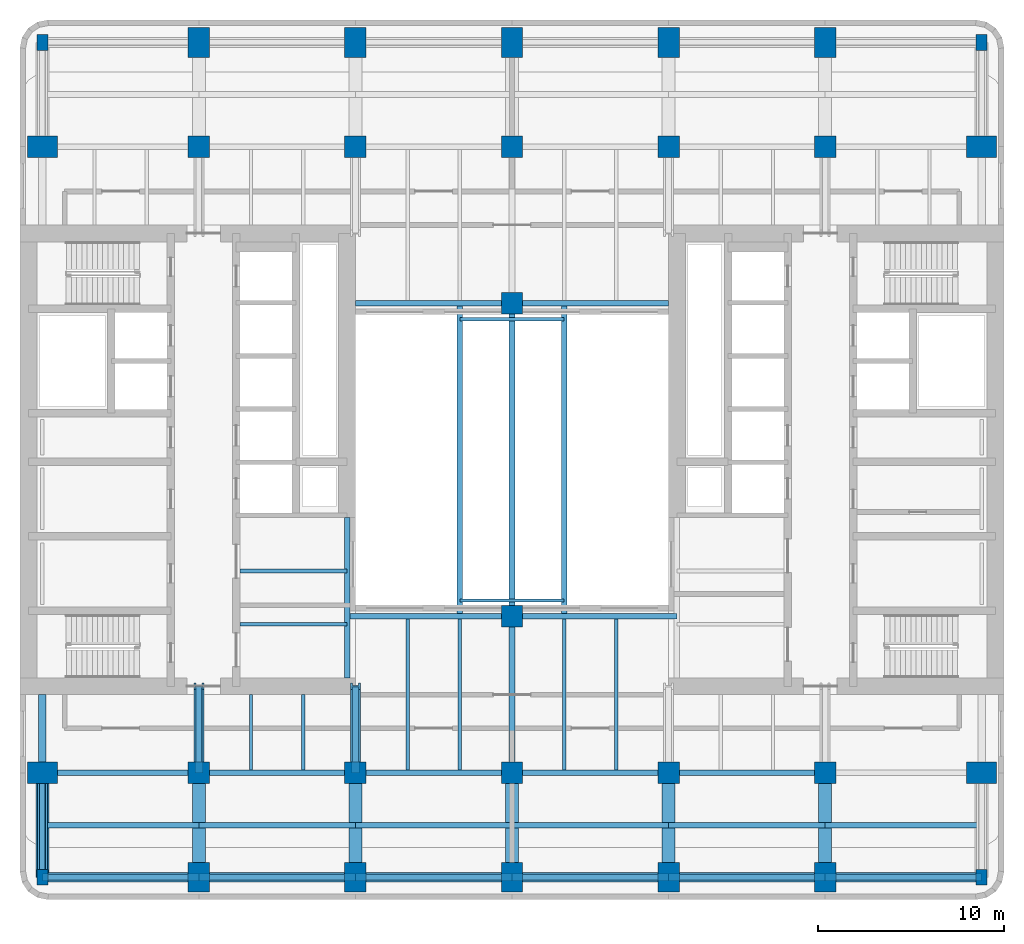
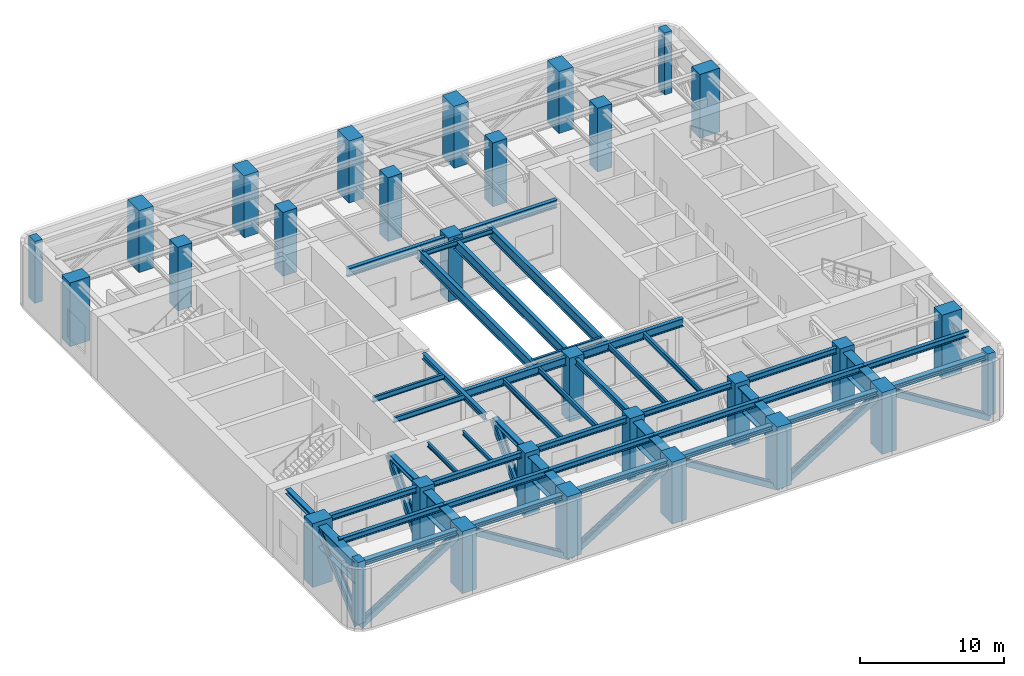
# One storey, part 1 of 10: 45 beams, 30 columns, 9 members.
"""IFC4 building model written with IfcOpenShell, lengths in metres."""

from ifc_helpers import new_model, si_unit, direction, frame, origin, origin_2d, place, context, subcontext, project, spatial, rectangle, i_section, extrude, material, material_profile, profile_set, type_object, element, save


model = new_model("IFC4")

# Units and contexts
model_context = context("Model", 3, precision=1e-05, world=origin(), true_north=direction((0.0, 1.0)))
body_context = subcontext(model_context, "Body", "Model", "MODEL_VIEW")
ifc_project = project(units=[si_unit("LENGTHUNIT", "METRE"), si_unit("AREAUNIT", "SQUARE_METRE"), si_unit("VOLUMEUNIT", "CUBIC_METRE"), si_unit("PLANEANGLEUNIT", "RADIAN"), si_unit("MASSUNIT", "GRAM", prefix="KILO")], contexts=[model_context])

# Site, building, storey
site_placement = place(None, origin())
site = spatial("IfcSite", under=ifc_project, at=site_placement, CompositionType="ELEMENT")
building_placement = place(site_placement, origin())
building = spatial("IfcBuilding", under=site, at=building_placement, Name="Claustro Exchange Tower", CompositionType="ELEMENT")
storey_placement = place(building_placement, frame((0.0, 0.0, 168.0)))
storey = spatial("IfcBuildingStorey", under=building, at=storey_placement, Name="L38", CompositionType="ELEMENT", Elevation=168.0)

# Columns
ifc_material_1 = material(Name="Concrete HA-70 (C70/85)", Category="concrete")
ifc_material_profile_1 = material_profile(ifc_material_1, rectangle(XDim=1.14990234375, YDim=1.14990234375, at=origin_2d()), Name="RC 1150x1150")
ifc_profile_set_1 = profile_set([ifc_material_profile_1], Name="Concrete HA-70 (C70/85)")
column_type_1 = type_object("IfcColumnType", Name="C16 RC 1150x1150 HA-70 column", PredefinedType="COLUMN", material=ifc_profile_set_1)
for number, where, z_axis, x_axis, name in (
    (1, (8.39990234375, 8.39990234375, 0.0), (0.0, 0.0, 1.0), (1.0, 0.0, 0.0), "Column C16 2/B L38"),
    (2, (8.39990234375, 42.0, 0.0), (0.0, 0.0, 1.0), (1.0, 0.0, 0.0), "Column C16 2/F L38"),
    (3, (16.800048828125, 8.39990234375, 0.0), (0.0, 0.0, 1.0), (1.0, 0.0, 0.0), "Column C16 3/B L38"),
    (4, (16.800048828125, 42.0, 0.0), (0.0, 0.0, 1.0), (1.0, 0.0, 0.0), "Column C16 3/F L38"),
    (5, (25.199951171875, 8.39990234375, 0.0), (0.0, 0.0, 1.0), (1.0, 0.0, 0.0), "Column C16 4/B L38"),
    (6, (25.199951171875, 42.0, 0.0), (0.0, 0.0, 1.0), (1.0, 0.0, 0.0), "Column C16 4/F L38"),
    (7, (25.199951171875, 16.800048828125, 0.0), (0.0, 0.0, 1.0), (1.0, 0.0, 0.0), "Column C16 4/C L38"),
    (8, (25.199951171875, 33.60009765625, 0.0), (0.0, 0.0, 1.0), (1.0, 0.0, 0.0), "Column C16 4/E L38"),
    (9, (33.60009765625, 8.39990234375, 0.0), (0.0, 0.0, 1.0), (1.0, 0.0, 0.0), "Column C16 5/B L38"),
    (10, (33.60009765625, 42.0, 0.0), (0.0, 0.0, 1.0), (1.0, 0.0, 0.0), "Column C16 5/F L38"),
    (11, (42.0, 8.39990234375, 0.0), (0.0, 0.0, 1.0), (1.0, 0.0, 0.0), "Column C16 6/B L38"),
    (12, (42.0, 42.0, 0.0), (0.0, 0.0, 1.0), (1.0, 0.0, 0.0), "Column C16 6/F L38"),
):
    element("IfcColumn", number, at=place(storey_placement, frame(where, z_axis=z_axis, x_axis=x_axis)), inside=storey, type_object=column_type_1, Name=name, PredefinedType="COLUMN", context=body_context, shape_type="SweptSolid", body=[
        extrude(rectangle(XDim=1.14990234375, YDim=1.14990234375, at=origin_2d()), origin(), (0.0, 0.0, 1.0), 5.39990234375),
    ])
ifc_material_2 = material(Name="Concrete HA-70 (C70/85)", Category="concrete")
ifc_material_profile_2 = material_profile(ifc_material_2, rectangle(XDim=1.14990234375, YDim=1.60009765625, at=origin_2d()), Name="RC 1150x1600")
ifc_profile_set_2 = profile_set([ifc_material_profile_2], Name="Concrete HA-70 (C70/85)")
column_type_2 = type_object("IfcColumnType", Name="C20 RC 1150x1600 HA-70 perimeter column", PredefinedType="COLUMN", material=ifc_profile_set_2)
for number, where, z_axis, x_axis, name in (
    (13, (0.0, 8.39990234375, 0.0), (0.0, 0.0, 1.0), (0.0, 1.0, 0.0), "Column C20 1/B L38"),
    (14, (0.0, 42.0, 0.0), (0.0, 0.0, 1.0), (0.0, 1.0, 0.0), "Column C20 1/F L38"),
):
    element("IfcColumn", number, at=place(storey_placement, frame(where, z_axis=z_axis, x_axis=x_axis)), inside=storey, type_object=column_type_2, Name=name, PredefinedType="COLUMN", context=body_context, shape_type="SweptSolid", body=[
        extrude(rectangle(XDim=1.14990234375, YDim=1.60009765625, at=origin_2d()), origin(), (0.0, 0.0, 1.0), 5.39990234375),
    ])
for number, where, z_axis, x_axis, name in (
    (15, (8.39990234375, 2.800048828125, 0.0), (0.0, 0.0, 1.0), (1.0, 0.0, 0.0), "Column C20 2/A+2800 L38"),
    (16, (8.39990234375, 47.60009765625, 0.0), (0.0, 0.0, 1.0), (1.0, 0.0, 0.0), "Column C20 2/F+5600 L38"),
    (17, (16.800048828125, 2.800048828125, 0.0), (0.0, 0.0, 1.0), (1.0, 0.0, 0.0), "Column C20 3/A+2800 L38"),
    (18, (16.800048828125, 47.60009765625, 0.0), (0.0, 0.0, 1.0), (1.0, 0.0, 0.0), "Column C20 3/F+5600 L38"),
    (19, (25.199951171875, 2.800048828125, 0.0), (0.0, 0.0, 1.0), (1.0, 0.0, 0.0), "Column C20 4/A+2800 L38"),
    (20, (25.199951171875, 47.60009765625, 0.0), (0.0, 0.0, 1.0), (1.0, 0.0, 0.0), "Column C20 4/F+5600 L38"),
    (21, (33.60009765625, 2.800048828125, 0.0), (0.0, 0.0, 1.0), (1.0, 0.0, 0.0), "Column C20 5/A+2800 L38"),
    (22, (33.60009765625, 47.60009765625, 0.0), (0.0, 0.0, 1.0), (1.0, 0.0, 0.0), "Column C20 5/F+5600 L38"),
    (23, (42.0, 2.800048828125, 0.0), (0.0, 0.0, 1.0), (1.0, 0.0, 0.0), "Column C20 6/A+2800 L38"),
    (24, (42.0, 47.60009765625, 0.0), (0.0, 0.0, 1.0), (1.0, 0.0, 0.0), "Column C20 6/F+5600 L38"),
):
    element("IfcColumn", number, at=place(storey_placement, frame(where, z_axis=z_axis, x_axis=x_axis)), inside=storey, type_object=column_type_2, Name=name, PredefinedType="COLUMN", context=body_context, shape_type="SweptSolid", body=[
        extrude(rectangle(XDim=1.14990234375, YDim=1.60009765625, at=origin_2d()), origin(), (0.0, 0.0, 1.0), 5.239990234375),
    ])
for number, where, z_axis, x_axis, name in (
    (25, (50.39990234375, 8.39990234375, 0.0), (0.0, 0.0, 1.0), (0.0, 1.0, 0.0), "Column C20 7/B L38"),
    (26, (50.39990234375, 42.0, 0.0), (0.0, 0.0, 1.0), (0.0, 1.0, 0.0), "Column C20 7/F L38"),
):
    element("IfcColumn", number, at=place(storey_placement, frame(where, z_axis=z_axis, x_axis=x_axis)), inside=storey, type_object=column_type_2, Name=name, PredefinedType="COLUMN", context=body_context, shape_type="SweptSolid", body=[
        extrude(rectangle(XDim=1.14990234375, YDim=1.60009765625, at=origin_2d()), origin(), (0.0, 0.0, 1.0), 5.39990234375),
    ])
ifc_material_3 = material(Name="Concrete HA-50 (C50/60)", Category="concrete")
ifc_material_profile_3 = material_profile(ifc_material_3, rectangle(XDim=0.60009765625, YDim=0.85009765625, at=origin_2d()), Name="RC 600x850")
ifc_profile_set_3 = profile_set([ifc_material_profile_3], Name="Concrete HA-50 (C50/60)")
column_type_3 = type_object("IfcColumnType", Name="C25 RC 600x850 HA-50 corner column", PredefinedType="COLUMN", material=ifc_profile_set_3)
for number, where, z_axis, x_axis, name in (
    (27, (0.0, 2.800048828125, 0.0), (0.0, 0.0, 1.0), (1.0, 0.0, 0.0), "Column C25 1/A+2800 L38"),
    (28, (0.0, 47.60009765625, 0.0), (0.0, 0.0, 1.0), (1.0, 0.0, 0.0), "Column C25 1/F+5600 L38"),
    (29, (50.39990234375, 2.800048828125, 0.0), (0.0, 0.0, 1.0), (1.0, 0.0, 0.0), "Column C25 7/A+2800 L38"),
    (30, (50.39990234375, 47.60009765625, 0.0), (0.0, 0.0, 1.0), (1.0, 0.0, 0.0), "Column C25 7/F+5600 L38"),
):
    element("IfcColumn", number, at=place(storey_placement, frame(where, z_axis=z_axis, x_axis=x_axis)), inside=storey, type_object=column_type_3, Name=name, PredefinedType="COLUMN", context=body_context, shape_type="SweptSolid", body=[
        extrude(rectangle(XDim=0.60009765625, YDim=0.85009765625, at=origin_2d()), origin(), (0.0, 0.0, 1.0), 5.239990234375),
    ])

# Beams
ifc_material_4 = material(Name="Steel S355", Category="steel")
ifc_material_profile_4 = material_profile(ifc_material_4, i_section(OverallWidth=0.300048828125, OverallDepth=0.68994140625, WebThickness=0.014404296875, FlangeThickness=0.027099609375, FilletRadius=0.027099609375, at=origin_2d()), Name="HE 700 A")
ifc_profile_set_4 = profile_set([ifc_material_profile_4], Name="Steel S355")
beam_type_1 = type_object("IfcBeamType", Name="B13 HE 700 A light well edge girder", PredefinedType="BEAM", material=ifc_profile_set_4)
beam_1_placement = place(storey_placement, frame((16.35009765625, 16.800048828125, 4.905029296875), z_axis=(1.0, 0.0, 0.0), x_axis=(0.0, 1.0, 0.0)))
element("IfcBeam", 31, at=beam_1_placement, inside=storey, type_object=beam_type_1, Name="Beam B13 L39", PredefinedType="BEAM", context=body_context, shape_type="SweptSolid", body=[
    extrude(i_section(OverallWidth=0.300048828125, OverallDepth=0.68994140625, WebThickness=0.014404296875, FlangeThickness=0.027099609375, FilletRadius=0.027099609375, at=origin_2d()), origin(), (0.0, 0.0, 1.0), 8.849853515625),
])
beam_2_placement = place(storey_placement, frame((25.199951171875, 16.800048828125, 4.905029296875), z_axis=(1.0, 0.0, 0.0), x_axis=(0.0, 1.0, 0.0)))
element("IfcBeam", 32, at=beam_2_placement, inside=storey, type_object=beam_type_1, Name="Beam B13 L39", PredefinedType="BEAM", context=body_context, shape_type="SweptSolid", body=[
    extrude(i_section(OverallWidth=0.300048828125, OverallDepth=0.68994140625, WebThickness=0.014404296875, FlangeThickness=0.027099609375, FilletRadius=0.027099609375, at=origin_2d()), origin(), (0.0, 0.0, 1.0), 8.85009765625),
])
beam_3_placement = place(storey_placement, frame((16.800048828125, 33.60009765625, 4.905029296875), z_axis=(1.0, 0.0, 0.0), x_axis=(0.0, 1.0, 0.0)))
element("IfcBeam", 33, at=beam_3_placement, inside=storey, type_object=beam_type_1, Name="Beam B13 L39", PredefinedType="BEAM", context=body_context, shape_type="SweptSolid", body=[
    extrude(i_section(OverallWidth=0.300048828125, OverallDepth=0.68994140625, WebThickness=0.014404296875, FlangeThickness=0.027099609375, FilletRadius=0.027099609375, at=origin_2d()), origin(), (0.0, 0.0, 1.0), 8.39990234375),
])
beam_4_placement = place(storey_placement, frame((25.199951171875, 33.60009765625, 4.905029296875), z_axis=(1.0, 0.0, 0.0), x_axis=(0.0, 1.0, 0.0)))
element("IfcBeam", 34, at=beam_4_placement, inside=storey, type_object=beam_type_1, Name="Beam B13 L39", PredefinedType="BEAM", context=body_context, shape_type="SweptSolid", body=[
    extrude(i_section(OverallWidth=0.300048828125, OverallDepth=0.68994140625, WebThickness=0.014404296875, FlangeThickness=0.027099609375, FilletRadius=0.027099609375, at=origin_2d()), origin(), (0.0, 0.0, 1.0), 8.400146484375),
])
ifc_material_5 = material(Name="Steel S355", Category="steel")
ifc_material_profile_5 = material_profile(ifc_material_5, i_section(OverallWidth=0.300048828125, OverallDepth=0.89990234375, WebThickness=0.0185546875, FlangeThickness=0.034912109375, FilletRadius=0.030029296875, at=origin_2d()), Name="HE 900 B")
ifc_profile_set_5 = profile_set([ifc_material_profile_5], Name="Steel S355")
beam_type_2 = type_object("IfcBeamType", Name="B14 HE 900 B bridge girder", PredefinedType="BEAM", material=ifc_profile_set_5)
for number, where, z_axis, x_axis, name in (
    (35, (22.39990234375, 16.949951171875, 4.77001953125), (0.0, 1.0, 0.0), (-1.0, 0.0, 0.0), "Sky bridge girder B14 L39"),
    (36, (25.199951171875, 16.949951171875, 4.77001953125), (0.0, 1.0, 0.0), (-1.0, 0.0, 0.0), "Sky bridge girder B14 L39"),
    (37, (28.0, 16.949951171875, 4.77001953125), (0.0, 1.0, 0.0), (-1.0, 0.0, 0.0), "Sky bridge girder B14 L39"),
):
    element("IfcBeam", number, at=place(storey_placement, frame(where, z_axis=z_axis, x_axis=x_axis)), inside=storey, type_object=beam_type_2, Name=name, PredefinedType="BEAM", context=body_context, shape_type="SweptSolid", body=[
        extrude(i_section(OverallWidth=0.300048828125, OverallDepth=0.89990234375, WebThickness=0.0185546875, FlangeThickness=0.034912109375, FilletRadius=0.030029296875, at=origin_2d()), origin(), (0.0, 0.0, 1.0), 16.5),
    ])
ifc_material_6 = material(Name="Steel S355", Category="steel")
ifc_material_profile_6 = material_profile(ifc_material_6, i_section(OverallWidth=0.169921875, OverallDepth=0.360107421875, WebThickness=0.008056640625, FlangeThickness=0.0126953125, FilletRadius=0.01806640625, at=origin_2d()), Name="IPE 360")
ifc_profile_set_6 = profile_set([ifc_material_profile_6], Name="Steel S355")
beam_type_3 = type_object("IfcBeamType", Name="B16 IPE 360 short-span beam", PredefinedType="BEAM", material=ifc_profile_set_6)
for number, where, z_axis, x_axis, name in (
    (38, (11.199951171875, 8.550048828125, 5.070068359375), (0.0, 1.0, 0.0), (-1.0, 0.0, 0.0), "Beam B16 L39"),
    (39, (14.0, 8.550048828125, 5.070068359375), (0.0, 1.0, 0.0), (-1.0, 0.0, 0.0), "Beam B16 L39"),
):
    element("IfcBeam", number, at=place(storey_placement, frame(where, z_axis=z_axis, x_axis=x_axis)), inside=storey, type_object=beam_type_3, Name=name, PredefinedType="BEAM", context=body_context, shape_type="SweptSolid", body=[
        extrude(i_section(OverallWidth=0.169921875, OverallDepth=0.360107421875, WebThickness=0.008056640625, FlangeThickness=0.0126953125, FilletRadius=0.01806640625, at=origin_2d()), origin(), (0.0, 0.0, 1.0), 4.06005859375),
    ])
ifc_material_7 = material(Name="Steel S355", Category="steel")
ifc_material_profile_7 = material_profile(ifc_material_7, i_section(OverallWidth=0.179931640625, OverallDepth=0.39990234375, WebThickness=0.008544921875, FlangeThickness=0.013427734375, FilletRadius=0.02099609375, at=origin_2d()), Name="IPE 400")
ifc_profile_set_7 = profile_set([ifc_material_profile_7], Name="Steel S355")
beam_type_4 = type_object("IfcBeamType", Name="B21 IPE 400 sky bridge end trimmer", PredefinedType="BEAM", material=ifc_profile_set_7)
for number, where, z_axis, x_axis, name in (
    (40, (22.39990234375, 17.64990234375, 5.02001953125), (1.0, 0.0, 0.0), (0.0, 1.0, 0.0), "Sky bridge end trimmer B21 L39"),
    (41, (22.39990234375, 32.75, 5.02001953125), (1.0, 0.0, 0.0), (0.0, 1.0, 0.0), "Sky bridge end trimmer B21 L39"),
):
    element("IfcBeam", number, at=place(storey_placement, frame(where, z_axis=z_axis, x_axis=x_axis)), inside=storey, type_object=beam_type_4, Name=name, PredefinedType="BEAM", context=body_context, shape_type="SweptSolid", body=[
        extrude(i_section(OverallWidth=0.179931640625, OverallDepth=0.39990234375, WebThickness=0.008544921875, FlangeThickness=0.013427734375, FilletRadius=0.02099609375, at=origin_2d()), origin(), (0.0, 0.0, 1.0), 5.60009765625),
    ])
ifc_material_8 = material(Name="Steel S355", Category="steel")
ifc_material_profile_8 = material_profile(ifc_material_8, i_section(OverallWidth=0.300048828125, OverallDepth=0.5, WebThickness=0.014404296875, FlangeThickness=0.028076171875, FilletRadius=0.027099609375, at=origin_2d()), Name="HE 500 B")
ifc_profile_set_8 = profile_set([ifc_material_profile_8], Name="Steel S355")
beam_type_5 = type_object("IfcBeamType", Name="B7 HE 500 B floor girder", PredefinedType="BEAM", material=ifc_profile_set_8)
beam_5_placement = place(storey_placement, frame((25.199951171875, 8.39990234375, 5.0), z_axis=(0.0, 1.0, 0.0), x_axis=(-1.0, 0.0, 0.0)))
element("IfcBeam", 42, at=beam_5_placement, inside=storey, type_object=beam_type_5, Name="Beam B7 L39", PredefinedType="BEAM", context=body_context, shape_type="SweptSolid", body=[
    extrude(i_section(OverallWidth=0.300048828125, OverallDepth=0.5, WebThickness=0.014404296875, FlangeThickness=0.028076171875, FilletRadius=0.027099609375, at=origin_2d()), origin(), (0.0, 0.0, 1.0), 8.400146484375),
])
beam_6_placement = place(storey_placement, frame((0.0, 8.39990234375, 5.0), z_axis=(1.0, 0.0, 0.0), x_axis=(0.0, 1.0, 0.0)))
element("IfcBeam", 43, at=beam_6_placement, inside=storey, type_object=beam_type_5, Name="Beam B7 L39", PredefinedType="BEAM", context=body_context, shape_type="SweptSolid", body=[
    extrude(i_section(OverallWidth=0.300048828125, OverallDepth=0.5, WebThickness=0.014404296875, FlangeThickness=0.028076171875, FilletRadius=0.027099609375, at=origin_2d()), origin(), (0.0, 0.0, 1.0), 8.39990234375),
])
beam_7_placement = place(storey_placement, frame((8.39990234375, 8.39990234375, 5.0), z_axis=(1.0, 0.0, 0.0), x_axis=(0.0, 1.0, 0.0)))
element("IfcBeam", 44, at=beam_7_placement, inside=storey, type_object=beam_type_5, Name="Beam B7 L39", PredefinedType="BEAM", context=body_context, shape_type="SweptSolid", body=[
    extrude(i_section(OverallWidth=0.300048828125, OverallDepth=0.5, WebThickness=0.014404296875, FlangeThickness=0.028076171875, FilletRadius=0.027099609375, at=origin_2d()), origin(), (0.0, 0.0, 1.0), 8.400146484375),
])
beam_8_placement = place(storey_placement, frame((16.800048828125, 8.39990234375, 5.0), z_axis=(1.0, 0.0, 0.0), x_axis=(0.0, 1.0, 0.0)))
element("IfcBeam", 45, at=beam_8_placement, inside=storey, type_object=beam_type_5, Name="Beam B7 L39", PredefinedType="BEAM", context=body_context, shape_type="SweptSolid", body=[
    extrude(i_section(OverallWidth=0.300048828125, OverallDepth=0.5, WebThickness=0.014404296875, FlangeThickness=0.028076171875, FilletRadius=0.027099609375, at=origin_2d()), origin(), (0.0, 0.0, 1.0), 8.39990234375),
])
beam_9_placement = place(storey_placement, frame((25.199951171875, 8.39990234375, 5.0), z_axis=(1.0, 0.0, 0.0), x_axis=(0.0, 1.0, 0.0)))
element("IfcBeam", 46, at=beam_9_placement, inside=storey, type_object=beam_type_5, Name="Beam B7 L39", PredefinedType="BEAM", context=body_context, shape_type="SweptSolid", body=[
    extrude(i_section(OverallWidth=0.300048828125, OverallDepth=0.5, WebThickness=0.014404296875, FlangeThickness=0.028076171875, FilletRadius=0.027099609375, at=origin_2d()), origin(), (0.0, 0.0, 1.0), 8.400146484375),
])
beam_10_placement = place(storey_placement, frame((33.60009765625, 8.39990234375, 5.0), z_axis=(1.0, 0.0, 0.0), x_axis=(0.0, 1.0, 0.0)))
element("IfcBeam", 47, at=beam_10_placement, inside=storey, type_object=beam_type_5, Name="Beam B7 L39", PredefinedType="BEAM", context=body_context, shape_type="SweptSolid", body=[
    extrude(i_section(OverallWidth=0.300048828125, OverallDepth=0.5, WebThickness=0.014404296875, FlangeThickness=0.028076171875, FilletRadius=0.027099609375, at=origin_2d()), origin(), (0.0, 0.0, 1.0), 8.39990234375),
])
beam_11_placement = place(storey_placement, frame((16.35009765625, 13.5, 5.0), z_axis=(0.0, 1.0, 0.0), x_axis=(-1.0, 0.0, 0.0)))
element("IfcBeam", 48, at=beam_11_placement, inside=storey, type_object=beam_type_5, Name="Beam B7 core step framing L39", PredefinedType="BEAM", context=body_context, shape_type="SweptSolid", body=[
    extrude(i_section(OverallWidth=0.300048828125, OverallDepth=0.5, WebThickness=0.014404296875, FlangeThickness=0.028076171875, FilletRadius=0.027099609375, at=origin_2d()), origin(), (0.0, 0.0, 1.0), 8.60009765625),
])
ifc_material_9 = material(Name="Steel S355", Category="steel")
ifc_material_profile_9 = material_profile(ifc_material_9, i_section(OverallWidth=0.18994140625, OverallDepth=0.449951171875, WebThickness=0.009521484375, FlangeThickness=0.0146484375, FilletRadius=0.02099609375, at=origin_2d()), Name="IPE 450")
ifc_profile_set_9 = profile_set([ifc_material_profile_9], Name="Steel S355")
beam_type_6 = type_object("IfcBeamType", Name="B8 IPE 450 secondary beam", PredefinedType="BEAM", material=ifc_profile_set_9)
for number, where, z_axis, x_axis, name in (
    (49, (19.60009765625, 8.550048828125, 5.02490234375), (0.0, 1.0, 0.0), (-1.0, 0.0, 0.0), "Beam B8 L39"),
    (50, (22.39990234375, 8.550048828125, 5.02490234375), (0.0, 1.0, 0.0), (-1.0, 0.0, 0.0), "Beam B8 L39"),
    (51, (28.0, 8.550048828125, 5.02490234375), (0.0, 1.0, 0.0), (-1.0, 0.0, 0.0), "Beam B8 L39"),
    (52, (30.800048828125, 8.550048828125, 5.02490234375), (0.0, 1.0, 0.0), (-1.0, 0.0, 0.0), "Beam B8 L39"),
):
    element("IfcBeam", number, at=place(storey_placement, frame(where, z_axis=z_axis, x_axis=x_axis)), inside=storey, type_object=beam_type_6, Name=name, PredefinedType="BEAM", context=body_context, shape_type="SweptSolid", body=[
        extrude(i_section(OverallWidth=0.18994140625, OverallDepth=0.449951171875, WebThickness=0.009521484375, FlangeThickness=0.0146484375, FilletRadius=0.02099609375, at=origin_2d()), origin(), (0.0, 0.0, 1.0), 8.099853515625),
    ])
for number, where, z_axis, x_axis, name in (
    (53, (10.60009765625, 16.36669921875, 5.02490234375), (1.0, 0.0, 0.0), (0.0, 1.0, 0.0), "Beam B8 core step framing L39"),
    (54, (10.60009765625, 19.2333984375, 5.02490234375), (1.0, 0.0, 0.0), (0.0, 1.0, 0.0), "Beam B8 core step framing L39"),
):
    element("IfcBeam", number, at=place(storey_placement, frame(where, z_axis=z_axis, x_axis=x_axis)), inside=storey, type_object=beam_type_6, Name=name, PredefinedType="BEAM", context=body_context, shape_type="SweptSolid", body=[
        extrude(i_section(OverallWidth=0.18994140625, OverallDepth=0.449951171875, WebThickness=0.009521484375, FlangeThickness=0.0146484375, FilletRadius=0.02099609375, at=origin_2d()), origin(), (0.0, 0.0, 1.0), 5.75),
    ])
ifc_material_10 = material(Name="Steel S355", Category="steel")
ifc_material_profile_10 = material_profile(ifc_material_10, i_section(OverallWidth=0.300048828125, OverallDepth=0.489990234375, WebThickness=0.011962890625, FlangeThickness=0.02294921875, FilletRadius=0.027099609375, at=origin_2d()), Name="HE 500 A")
ifc_profile_set_10 = profile_set([ifc_material_profile_10], Name="Steel S355")
beam_type_7 = type_object("IfcBeamType", Name="B9 HE 500 A spandrel edge girder", PredefinedType="SPANDREL", material=ifc_profile_set_10)
beam_12_placement = place(storey_placement, frame((0.0, 5.60009765625, 5.0048828125), z_axis=(1.0, 0.0, 0.0), x_axis=(0.0, 1.0, 0.0)))
element("IfcBeam", 55, at=beam_12_placement, inside=storey, type_object=beam_type_7, Name="Beam B9 L39", PredefinedType="SPANDREL", context=body_context, shape_type="SweptSolid", body=[
    extrude(i_section(OverallWidth=0.300048828125, OverallDepth=0.489990234375, WebThickness=0.011962890625, FlangeThickness=0.02294921875, FilletRadius=0.027099609375, at=origin_2d()), origin(), (0.0, 0.0, 1.0), 8.39990234375),
])
beam_13_placement = place(storey_placement, frame((8.39990234375, 5.60009765625, 5.0048828125), z_axis=(1.0, 0.0, 0.0), x_axis=(0.0, 1.0, 0.0)))
element("IfcBeam", 56, at=beam_13_placement, inside=storey, type_object=beam_type_7, Name="Beam B9 L39", PredefinedType="SPANDREL", context=body_context, shape_type="SweptSolid", body=[
    extrude(i_section(OverallWidth=0.300048828125, OverallDepth=0.489990234375, WebThickness=0.011962890625, FlangeThickness=0.02294921875, FilletRadius=0.027099609375, at=origin_2d()), origin(), (0.0, 0.0, 1.0), 8.400146484375),
])
beam_14_placement = place(storey_placement, frame((16.800048828125, 5.60009765625, 5.0048828125), z_axis=(1.0, 0.0, 0.0), x_axis=(0.0, 1.0, 0.0)))
element("IfcBeam", 57, at=beam_14_placement, inside=storey, type_object=beam_type_7, Name="Beam B9 L39", PredefinedType="SPANDREL", context=body_context, shape_type="SweptSolid", body=[
    extrude(i_section(OverallWidth=0.300048828125, OverallDepth=0.489990234375, WebThickness=0.011962890625, FlangeThickness=0.02294921875, FilletRadius=0.027099609375, at=origin_2d()), origin(), (0.0, 0.0, 1.0), 8.39990234375),
])
beam_15_placement = place(storey_placement, frame((25.199951171875, 5.60009765625, 5.0048828125), z_axis=(1.0, 0.0, 0.0), x_axis=(0.0, 1.0, 0.0)))
element("IfcBeam", 58, at=beam_15_placement, inside=storey, type_object=beam_type_7, Name="Beam B9 L39", PredefinedType="SPANDREL", context=body_context, shape_type="SweptSolid", body=[
    extrude(i_section(OverallWidth=0.300048828125, OverallDepth=0.489990234375, WebThickness=0.011962890625, FlangeThickness=0.02294921875, FilletRadius=0.027099609375, at=origin_2d()), origin(), (0.0, 0.0, 1.0), 8.400146484375),
])
for number, where, z_axis, x_axis, name in (
    (59, (33.60009765625, 5.60009765625, 5.0048828125), (1.0, 0.0, 0.0), (0.0, 1.0, 0.0), "Beam B9 L39"),
    (60, (42.0, 5.60009765625, 5.0048828125), (1.0, 0.0, 0.0), (0.0, 1.0, 0.0), "Beam B9 L39"),
):
    element("IfcBeam", number, at=place(storey_placement, frame(where, z_axis=z_axis, x_axis=x_axis)), inside=storey, type_object=beam_type_7, Name=name, PredefinedType="SPANDREL", context=body_context, shape_type="SweptSolid", body=[
        extrude(i_section(OverallWidth=0.300048828125, OverallDepth=0.489990234375, WebThickness=0.011962890625, FlangeThickness=0.02294921875, FilletRadius=0.027099609375, at=origin_2d()), origin(), (0.0, 0.0, 1.0), 8.39990234375),
    ])
ifc_material_11 = material(Name="Steel S460", Category="steel")
ifc_material_profile_11 = material_profile(ifc_material_11, i_section(OverallWidth=0.404052734375, OverallDepth=0.406982421875, WebThickness=0.027099609375, FlangeThickness=0.043701171875, FilletRadius=0.014892578125, at=origin_2d()), Name="HD 400x347")
ifc_profile_set_11 = profile_set([ifc_material_profile_11], Name="Steel S460")
beam_type_8 = type_object("IfcBeamType", Name="BT3 HD 400x347 belt truss chord", PredefinedType="BEAM", material=ifc_profile_set_11)
beam_16_placement = place(storey_placement, frame((0.0, 8.39990234375, 5.04638671875), z_axis=(0.0, 1.0, 0.0), x_axis=(-1.0, 0.0, 0.0)))
element("IfcBeam", 61, at=beam_16_placement, inside=storey, type_object=beam_type_8, Name="Beam BT3 L39", PredefinedType="BEAM", context=body_context, shape_type="SweptSolid", body=[
    extrude(i_section(OverallWidth=0.404052734375, OverallDepth=0.406982421875, WebThickness=0.027099609375, FlangeThickness=0.043701171875, FilletRadius=0.014892578125, at=origin_2d()), origin(), (0.0, 0.0, 1.0), 4.2001953125),
])
beam_17_placement = place(storey_placement, frame((0.0, 2.800048828125, 4.83642578125), z_axis=(1.0, 0.0, 0.0), x_axis=(0.0, 1.0, 0.0)))
element("IfcBeam", 62, at=beam_17_placement, inside=storey, type_object=beam_type_8, Name="Beam BT3 L39", PredefinedType="BEAM", context=body_context, shape_type="SweptSolid", body=[
    extrude(i_section(OverallWidth=0.404052734375, OverallDepth=0.406982421875, WebThickness=0.027099609375, FlangeThickness=0.043701171875, FilletRadius=0.014892578125, at=origin_2d()), origin(), (0.0, 0.0, 1.0), 8.39990234375),
])
beam_18_placement = place(storey_placement, frame((8.39990234375, 2.800048828125, 4.83642578125), z_axis=(1.0, 0.0, 0.0), x_axis=(0.0, 1.0, 0.0)))
element("IfcBeam", 63, at=beam_18_placement, inside=storey, type_object=beam_type_8, Name="Beam BT3 L39", PredefinedType="BEAM", context=body_context, shape_type="SweptSolid", body=[
    extrude(i_section(OverallWidth=0.404052734375, OverallDepth=0.406982421875, WebThickness=0.027099609375, FlangeThickness=0.043701171875, FilletRadius=0.014892578125, at=origin_2d()), origin(), (0.0, 0.0, 1.0), 8.400146484375),
])
beam_19_placement = place(storey_placement, frame((16.800048828125, 2.800048828125, 4.83642578125), z_axis=(1.0, 0.0, 0.0), x_axis=(0.0, 1.0, 0.0)))
element("IfcBeam", 64, at=beam_19_placement, inside=storey, type_object=beam_type_8, Name="Beam BT3 L39", PredefinedType="BEAM", context=body_context, shape_type="SweptSolid", body=[
    extrude(i_section(OverallWidth=0.404052734375, OverallDepth=0.406982421875, WebThickness=0.027099609375, FlangeThickness=0.043701171875, FilletRadius=0.014892578125, at=origin_2d()), origin(), (0.0, 0.0, 1.0), 8.39990234375),
])
beam_20_placement = place(storey_placement, frame((25.199951171875, 2.800048828125, 4.83642578125), z_axis=(1.0, 0.0, 0.0), x_axis=(0.0, 1.0, 0.0)))
element("IfcBeam", 65, at=beam_20_placement, inside=storey, type_object=beam_type_8, Name="Beam BT3 L39", PredefinedType="BEAM", context=body_context, shape_type="SweptSolid", body=[
    extrude(i_section(OverallWidth=0.404052734375, OverallDepth=0.406982421875, WebThickness=0.027099609375, FlangeThickness=0.043701171875, FilletRadius=0.014892578125, at=origin_2d()), origin(), (0.0, 0.0, 1.0), 8.400146484375),
])
for number, where, z_axis, x_axis, name in (
    (66, (33.60009765625, 2.800048828125, 4.83642578125), (1.0, 0.0, 0.0), (0.0, 1.0, 0.0), "Beam BT3 L39"),
    (67, (42.0, 2.800048828125, 4.83642578125), (1.0, 0.0, 0.0), (0.0, 1.0, 0.0), "Beam BT3 L39"),
):
    element("IfcBeam", number, at=place(storey_placement, frame(where, z_axis=z_axis, x_axis=x_axis)), inside=storey, type_object=beam_type_8, Name=name, PredefinedType="BEAM", context=body_context, shape_type="SweptSolid", body=[
        extrude(i_section(OverallWidth=0.404052734375, OverallDepth=0.406982421875, WebThickness=0.027099609375, FlangeThickness=0.043701171875, FilletRadius=0.014892578125, at=origin_2d()), origin(), (0.0, 0.0, 1.0), 8.39990234375),
    ])

# Members
ifc_material_12 = material(Name="Steel S460", Category="steel")
ifc_material_profile_12 = material_profile(ifc_material_12, i_section(OverallWidth=0.44189453125, OverallDepth=0.531005859375, WebThickness=0.06591796875, FlangeThickness=0.10595703125, FilletRadius=0.014892578125, at=origin_2d()), Name="HD 400x900")
ifc_profile_set_12 = profile_set([ifc_material_profile_12], Name="Steel S460")
member_type_1 = type_object("IfcMemberType", Name="BT4 HD 400x900 belt truss diagonal", PredefinedType="BRACE", material=ifc_profile_set_12)
for number, where, z_axis, x_axis, name in (
    (68, (0.0, 2.800048828125, -0.403564453125), (0.84844963308, 0.0, 0.529276128431), (-0.529276128431, 0.0, 0.84844963308), "Belt truss diagonal BT4 L38"),
    (69, (16.800048828125, 2.800048828125, -0.403564453125), (-0.848456540929, 0.0, 0.529265054726), (0.529265054726, 0.0, 0.848456540929), "Belt truss diagonal BT4 L38"),
    (70, (16.800048828125, 2.800048828125, -0.403564453125), (0.84844963308, 0.0, 0.529276128431), (-0.529276128431, 0.0, 0.84844963308), "Belt truss diagonal BT4 L38"),
    (71, (33.60009765625, 2.800048828125, -0.403564453125), (-0.848456540929, 0.0, 0.529265054726), (0.529265054726, 0.0, 0.848456540929), "Belt truss diagonal BT4 L38"),
    (72, (33.60009765625, 2.800048828125, -0.403564453125), (0.84844963308, 0.0, 0.529276128431), (-0.529276128431, 0.0, 0.84844963308), "Belt truss diagonal BT4 L38"),
    (73, (50.39990234375, 2.800048828125, -0.403564453125), (-0.84844963308, 0.0, 0.529276128431), (0.529276128431, 0.0, 0.84844963308), "Belt truss diagonal BT4 L38"),
):
    element("IfcMember", number, at=place(storey_placement, frame(where, z_axis=z_axis, x_axis=x_axis)), inside=storey, type_object=member_type_1, Name=name, PredefinedType="BRACE", context=body_context, shape_type="SweptSolid", body=[
        extrude(i_section(OverallWidth=0.44189453125, OverallDepth=0.531005859375, WebThickness=0.06591796875, FlangeThickness=0.10595703125, FilletRadius=0.014892578125, at=origin_2d()), origin(), (0.0, 0.0, 1.0), 9.900390625),
    ])
member_placement = place(storey_placement, frame((0.0, 2.800048828125, -0.403564453125), z_axis=(0.0, 0.716633495265, 0.697449950508), x_axis=(0.0, -0.697449950508, 0.716633495265)))
element("IfcMember", 74, at=member_placement, inside=storey, type_object=member_type_1, Name="Belt truss diagonal BT4 L38", PredefinedType="BRACE", context=body_context, shape_type="SweptSolid", body=[
    extrude(i_section(OverallWidth=0.44189453125, OverallDepth=0.531005859375, WebThickness=0.06591796875, FlangeThickness=0.10595703125, FilletRadius=0.014892578125, at=origin_2d()), origin(), (0.0, 0.0, 1.0), 7.814208984375),
])

# Beams
ifc_material_13 = material(Name="Steel S460", Category="steel")
ifc_material_profile_13 = material_profile(ifc_material_13, i_section(OverallWidth=0.422119140625, OverallDepth=0.425048828125, WebThickness=0.035888671875, FlangeThickness=0.05810546875, FilletRadius=0.014892578125, at=origin_2d()), Name="HD 400x463")
ifc_profile_set_13 = profile_set([ifc_material_profile_13], Name="Steel S460")
beam_type_9 = type_object("IfcBeamType", Name="OT3 HD 400x463 OUTRIGGER truss chord", PredefinedType="BEAM", material=ifc_profile_set_13)
for number, where, z_axis, x_axis, name in (
    (75, (8.39990234375, 8.39990234375, 4.9375), (0.0, 1.0, 0.0), (-1.0, 0.0, 0.0), "Beam OT3 L39"),
    (76, (16.800048828125, 8.39990234375, 4.9375), (0.0, 1.0, 0.0), (-1.0, 0.0, 0.0), "Beam OT3 L39"),
):
    element("IfcBeam", number, at=place(storey_placement, frame(where, z_axis=z_axis, x_axis=x_axis)), inside=storey, type_object=beam_type_9, Name=name, PredefinedType="BEAM", context=body_context, shape_type="SweptSolid", body=[
        extrude(i_section(OverallWidth=0.422119140625, OverallDepth=0.425048828125, WebThickness=0.035888671875, FlangeThickness=0.05810546875, FilletRadius=0.014892578125, at=origin_2d()), origin(), (0.0, 0.0, 1.0), 4.650146484375),
    ])

# Members
ifc_material_14 = material(Name="Steel S460", Category="steel")
ifc_material_profile_14 = material_profile(ifc_material_14, i_section(OverallWidth=0.447998046875, OverallDepth=0.550048828125, WebThickness=0.072021484375, FlangeThickness=0.114990234375, FilletRadius=0.014892578125, at=origin_2d()), Name="HD 400x990")
ifc_profile_set_14 = profile_set([ifc_material_profile_14], Name="Steel S460")
member_type_2 = type_object("IfcMemberType", Name="OT4 HD 400x990 OUTRIGGER truss diagonal", PredefinedType="BRACE", material=ifc_profile_set_14)
for number, where, z_axis, x_axis, name in (
    (77, (8.39990234375, 8.39990234375, -0.46240234375), (0.0, 0.652541714558, 0.757752803203), (0.0, -0.757752803203, 0.652541714558), "Outrigger truss diagonal OT4 L38"),
    (78, (16.800048828125, 8.39990234375, -0.46240234375), (0.0, 0.652541714558, 0.757752803203), (0.0, -0.757752803203, 0.652541714558), "Outrigger truss diagonal OT4 L38"),
):
    element("IfcMember", number, at=place(storey_placement, frame(where, z_axis=z_axis, x_axis=x_axis)), inside=storey, type_object=member_type_2, Name=name, PredefinedType="BRACE", context=body_context, shape_type="SweptSolid", body=[
        extrude(i_section(OverallWidth=0.447998046875, OverallDepth=0.550048828125, WebThickness=0.072021484375, FlangeThickness=0.114990234375, FilletRadius=0.014892578125, at=origin_2d()), origin(), (0.0, 0.0, 1.0), 7.126220703125),
    ])

# Beams
ifc_material_15 = material(Name="Steel S460", Category="steel")
ifc_material_profile_15 = material_profile(ifc_material_15, i_section(OverallWidth=0.699951171875, OverallDepth=1.800048828125, WebThickness=0.0400390625, FlangeThickness=0.06005859375, at=origin_2d()), Name="PG 1800x700")
ifc_profile_set_15 = profile_set([ifc_material_profile_15], Name="Steel S460")
beam_type_10 = type_object("IfcBeamType", Name="TG2 PG 1800x700 transfer girder", PredefinedType="BEAM", material=ifc_profile_set_15)
for number, where, z_axis, x_axis, name in (
    (79, (0.0, 2.800048828125, 4.139892578125), (0.0, 1.0, 0.0), (-1.0, 0.0, 0.0), "Beam TG2 L39"),
    (80, (8.39990234375, 2.800048828125, 4.139892578125), (0.0, 1.0, 0.0), (-1.0, 0.0, 0.0), "Beam TG2 L39"),
    (81, (16.800048828125, 2.800048828125, 4.139892578125), (0.0, 1.0, 0.0), (-1.0, 0.0, 0.0), "Beam TG2 L39"),
    (82, (25.199951171875, 2.800048828125, 4.139892578125), (0.0, 1.0, 0.0), (-1.0, 0.0, 0.0), "Beam TG2 L39"),
    (83, (33.60009765625, 2.800048828125, 4.139892578125), (0.0, 1.0, 0.0), (-1.0, 0.0, 0.0), "Beam TG2 L39"),
    (84, (42.0, 2.800048828125, 4.139892578125), (0.0, 1.0, 0.0), (-1.0, 0.0, 0.0), "Beam TG2 L39"),
):
    element("IfcBeam", number, at=place(storey_placement, frame(where, z_axis=z_axis, x_axis=x_axis)), inside=storey, type_object=beam_type_10, Name=name, PredefinedType="BEAM", context=body_context, shape_type="SweptSolid", body=[
        extrude(i_section(OverallWidth=0.699951171875, OverallDepth=1.800048828125, WebThickness=0.0400390625, FlangeThickness=0.06005859375, at=origin_2d()), origin(), (0.0, 0.0, 1.0), 5.599853515625),
    ])

save(model, "model.ifc")
